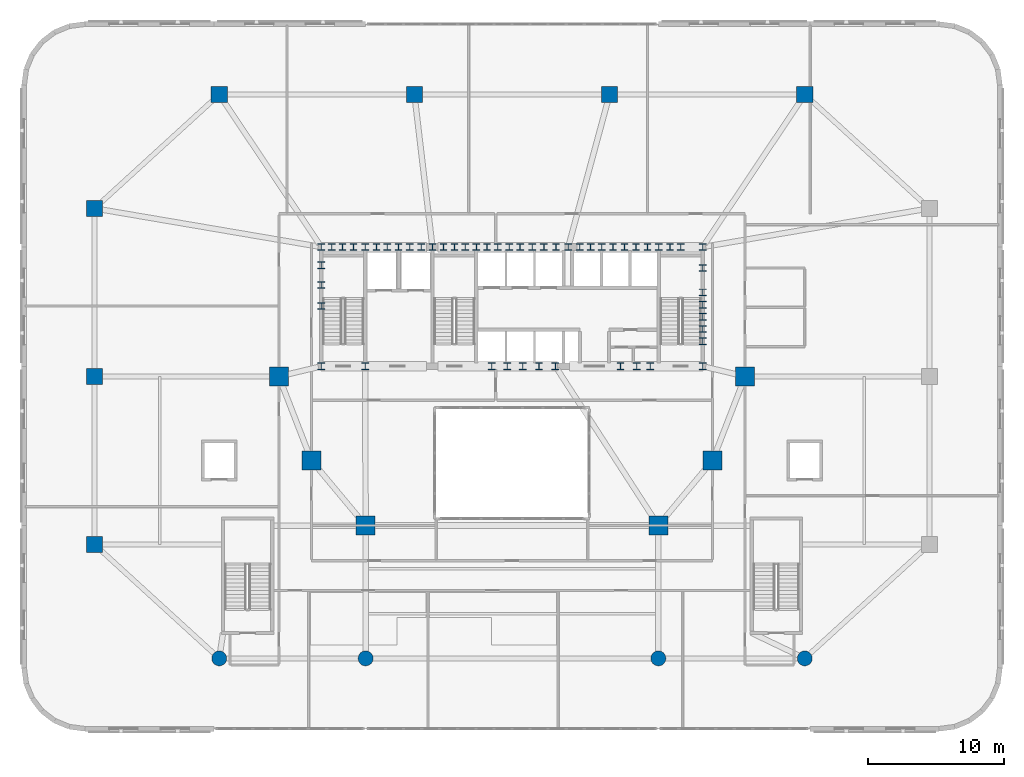
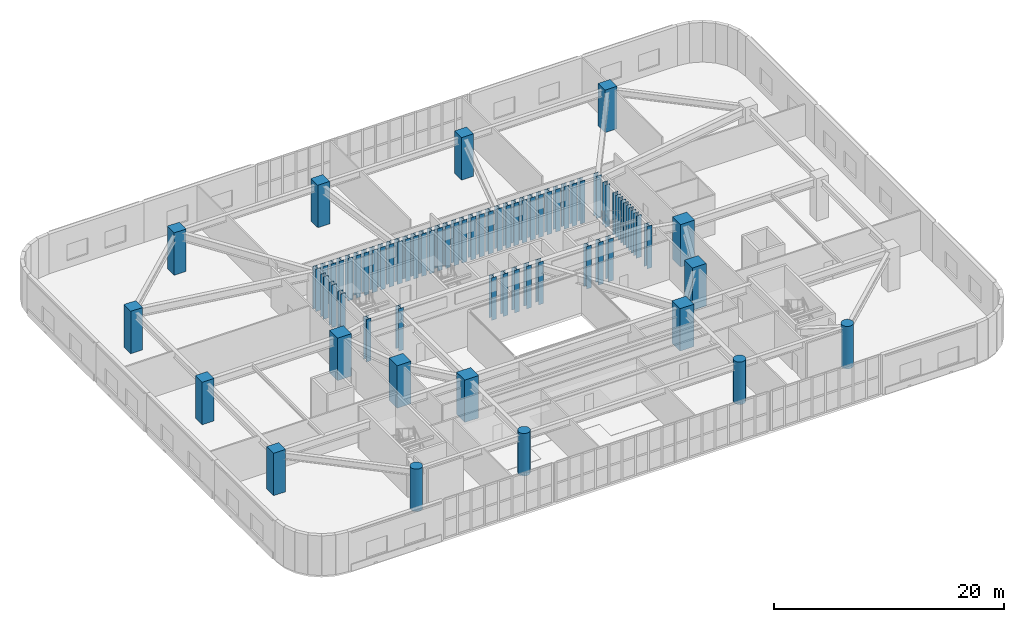
# One storey, part 1 of 25: 71 columns.
"""IFC4 building model written with IfcOpenShell, lengths in metres."""

import ifcopenshell
import ifcopenshell.guid

model = None  # the IFC model being written
_history = None  # IfcOwnerHistory: only IFC2X3 demands one
_inside = {}  # id of a spatial element -> (the spatial element, [elements in it])
_under = {}  # id of a project, library or spatial element -> (it, [spatial elements below it])
_declared = {}  # id of a project -> (the project, [libraries it declares])
_typed = {}  # id of a type object -> (the type object, [elements of that type])
_made_of = {}  # id of a material, layer set ... -> (it, [elements and type objects made of it])


def new_model(schema):
    """Start an empty IFC model of exactly this schema.

    Asked for "IFC4X3", IfcOpenShell would pick the latest addendum, in which some entities
    have other attributes; the version numbers below select the first issue.
    IFC2X3 requires an IfcOwnerHistory on every rooted entity: one is made here for all.
    """
    global model, _history
    if schema == "IFC4X3":
        model = ifcopenshell.file(schema_version=(4, 3, 0, 0))
    else:
        model = ifcopenshell.file(schema=schema)
    _inside.clear()
    _under.clear()
    _declared.clear()
    _typed.clear()
    _made_of.clear()
    _history = None
    if model.schema == "IFC2X3":
        org = make("IfcOrganization", Name="unknown")
        user = make(
            "IfcPersonAndOrganization",
            ThePerson=make("IfcPerson", FamilyName="unknown"),
            TheOrganization=org,
        )
        app = make(
            "IfcApplication",
            ApplicationDeveloper=org,
            Version="unknown",
            ApplicationFullName="unknown",
            ApplicationIdentifier="unknown",
        )
        _history = make(
            "IfcOwnerHistory",
            OwningUser=user,
            OwningApplication=app,
            ChangeAction="ADDED",
            CreationDate=0,
        )
    return model


def make(cls, **values):
    """One entity of the class cls with the attributes given. An attribute that is None is left unset."""
    return model.create_entity(
        cls, **{name: value for name, value in values.items() if value is not None}
    )


def rooted(cls, **values):
    """An entity with a GlobalId (a new one), such as an element, a storey or a relation."""
    return make(cls, GlobalId=ifcopenshell.guid.new(), OwnerHistory=_history, **values)


def si_unit(unit_type, name, prefix=None):
    """IfcSIUnit, for example si_unit("LENGTHUNIT", "METRE", prefix="MILLI")."""
    return make("IfcSIUnit", UnitType=unit_type, Prefix=prefix, Name=name)


def assignment(units):
    """IfcUnitAssignment: the units of a project."""
    return None if units is None else make("IfcUnitAssignment", Units=units)


def point(xyz):
    """IfcCartesianPoint."""
    return None if xyz is None else make("IfcCartesianPoint", Coordinates=xyz)


def direction(xyz):
    """IfcDirection."""
    return None if xyz is None else make("IfcDirection", DirectionRatios=xyz)


def frame(location, z_axis=None, x_axis=None):
    """IfcAxis2Placement3D, a coordinate frame: its origin and axes. An axis left out is left unset."""
    return make(
        "IfcAxis2Placement3D",
        Location=point(location),
        Axis=direction(z_axis),
        RefDirection=direction(x_axis),
    )


def frame_2d(location, x_axis=None):
    """IfcAxis2Placement2D, a coordinate frame in the plane: its origin and x axis."""
    return make(
        "IfcAxis2Placement2D", Location=point(location), RefDirection=direction(x_axis)
    )


def origin():
    """The frame at (0, 0, 0) with its axes left unset."""
    return frame((0.0, 0.0, 0.0))


def origin_2d():
    """The frame at (0, 0) in the plane with its x axis left unset."""
    return frame_2d((0.0, 0.0))


def place(relative_to, where):
    """IfcLocalPlacement: puts the frame where relative to a parent placement (None: the world)."""
    return make(
        "IfcLocalPlacement", PlacementRelTo=relative_to, RelativePlacement=where
    )


def context(
    kind, dimensions, precision=None, world=None, true_north=None, identifier=None
):
    """IfcGeometricRepresentationContext, for example the 3D "Model" context."""
    return make(
        "IfcGeometricRepresentationContext",
        ContextIdentifier=identifier,
        ContextType=kind,
        CoordinateSpaceDimension=dimensions,
        Precision=precision,
        WorldCoordinateSystem=world,
        TrueNorth=true_north,
    )


def subcontext(parent, identifier, kind, view, scale=None):
    """IfcGeometricRepresentationSubContext, for example "Body" below "Model"."""
    return make(
        "IfcGeometricRepresentationSubContext",
        ContextIdentifier=identifier,
        ContextType=kind,
        ParentContext=parent,
        TargetScale=scale,
        TargetView=view,
    )


def project(units=None, contexts=None):
    """IfcProject with its units and contexts."""
    return rooted(
        "IfcProject",
        Name="project",
        RepresentationContexts=contexts,
        UnitsInContext=assignment(units),
    )


def spatial(cls, under=None, at=None, **own):
    """A site, building, storey or space (cls), placed at a placement, below another one or the project."""
    s = rooted(cls, ObjectPlacement=at, **own)
    if under is not None:
        _under.setdefault(under.id(), (under, []))[1].append(s)
    return s


def profile(cls, at=None, kind="AREA", **sizes):
    """A parametric profile (cls). Its sizes go by their IFC names, for example OverallWidth=200.0."""
    return make(cls, ProfileType=kind, Position=at, **sizes)


def rectangle(**sizes):
    """IfcRectangleProfileDef."""
    return profile("IfcRectangleProfileDef", **sizes)


def circle(**sizes):
    """IfcCircleProfileDef."""
    return profile("IfcCircleProfileDef", **sizes)


def i_section(**sizes):
    """IfcIShapeProfileDef."""
    return profile("IfcIShapeProfileDef", **sizes)


def extrude(swept, where, along, depth):
    """IfcExtrudedAreaSolid: the profile swept, set in the frame where, extruded along a direction by depth."""
    return make(
        "IfcExtrudedAreaSolid",
        SweptArea=swept,
        Position=where,
        ExtrudedDirection=direction(along),
        Depth=depth,
    )


def shape(context_of_items, identifier, shape_type, items):
    """IfcShapeRepresentation: the items that make up one representation, for example the "Body"."""
    return make(
        "IfcShapeRepresentation",
        ContextOfItems=context_of_items,
        RepresentationIdentifier=identifier,
        RepresentationType=shape_type,
        Items=items,
    )


def material(Name=None, Category=None):
    """IfcMaterial."""
    return make("IfcMaterial", Name=Name, Category=Category)


def material_profile(
    of_material, cross_section, Name=None, Category=None, Priority=None
):
    """IfcMaterialProfile: a cross section and its material."""
    return make(
        "IfcMaterialProfile",
        Name=Name,
        Material=of_material,
        Profile=cross_section,
        Priority=Priority,
        Category=Category,
    )


def profile_set(profiles, Name=None, composite=None):
    """IfcMaterialProfileSet."""
    return make(
        "IfcMaterialProfileSet",
        Name=Name,
        MaterialProfiles=profiles,
        CompositeProfile=composite,
    )


def made_of(thing, what):
    """Note that an element or type object is made of a material, layer set ...; save() writes the relation."""
    if what is not None:
        _made_of.setdefault(what.id(), (what, []))[1].append(thing)
    return thing


def type_object(cls, material=None, **own):
    """A type object (cls), such as IfcWallType, which elements share."""
    return made_of(rooted(cls, **own), material)


def element(
    cls,
    number,
    at=None,
    inside=None,
    cuts=None,
    type_object=None,
    material=None,
    context=None,
    identifier="Body",
    shape_type=None,
    held_by="IfcProductDefinitionShape",
    body=None,
    shapes=None,
    **own,
):
    """One element of the class cls, such as IfcWall. Its Tag is "e" and its number.

    at: its placement. inside: the storey or other place that contains it. cuts: it is an
    opening in that element (IfcRelVoidsElement). A single representation is given by context,
    identifier, shape_type and body (its items); several are given by shapes. held_by: the class
    of the entity that holds the representations. save() writes the other relations.
    """
    e = rooted(cls, Tag="e%d" % number, ObjectPlacement=at, **own)
    if body is not None:
        shapes = [shape(context, identifier, shape_type, body)]
    if shapes is not None:
        e.Representation = make(held_by, Representations=shapes)
    if inside is not None:
        _inside.setdefault(inside.id(), (inside, []))[1].append(e)
    if cuts is not None:
        rooted(
            "IfcRelVoidsElement", RelatingBuildingElement=cuts, RelatedOpeningElement=e
        )
    if type_object is not None:
        _typed.setdefault(type_object.id(), (type_object, []))[1].append(e)
    return made_of(e, material)


def aggregate(whole, parts):
    """IfcRelAggregates: a whole, such as a stair, and the parts it consists of."""
    return rooted("IfcRelAggregates", RelatingObject=whole, RelatedObjects=parts)


def save(model, path):
    """Write the relations noted so far, then the file.

    IfcRelAggregates (storeys below a building ...), IfcRelContainedInSpatialStructure (elements
    in a storey), IfcRelDefinesByType, IfcRelAssociatesMaterial and IfcRelDeclares: one each for
    every whole, place, type object, material and project.
    """
    for whole, parts in _under.values():
        aggregate(whole, parts)
    for where, things in _inside.values():
        rooted(
            "IfcRelContainedInSpatialStructure",
            RelatedElements=things,
            RelatingStructure=where,
        )
    for kind, things in _typed.values():
        rooted("IfcRelDefinesByType", RelatedObjects=things, RelatingType=kind)
    for what, things in _made_of.values():
        rooted("IfcRelAssociatesMaterial", RelatedObjects=things, RelatingMaterial=what)
    for by, libraries in _declared.values():
        rooted("IfcRelDeclares", RelatingContext=by, RelatedDefinitions=libraries)
    model.write(path)


model = new_model("IFC4")

# Units and contexts
model_context = context("Model", 3, precision=1e-05, world=origin(), true_north=direction((0.0, 1.0)))
body_context = subcontext(model_context, "Body", "Model", "MODEL_VIEW")
ifc_project = project(units=[si_unit("LENGTHUNIT", "METRE"), si_unit("AREAUNIT", "SQUARE_METRE"), si_unit("VOLUMEUNIT", "CUBIC_METRE"), si_unit("PLANEANGLEUNIT", "RADIAN"), si_unit("MASSUNIT", "GRAM", prefix="KILO")], contexts=[model_context])

# Site, building, storey
site_placement = place(None, origin())
site = spatial("IfcSite", under=ifc_project, at=site_placement, CompositionType="ELEMENT")
building_placement = place(site_placement, origin())
building = spatial("IfcBuilding", under=site, at=building_placement, Name="Haldorwick Loom Tower", CompositionType="ELEMENT")
storey_placement = place(building_placement, frame((0.0, 0.0, 15.0)))
storey = spatial("IfcBuildingStorey", under=building, at=storey_placement, Name="L03", CompositionType="ELEMENT", Elevation=15.0)

# Columns
ifc_material_1 = material(Name="Concrete C60 (60 MPa)", Category="concrete")
ifc_material_profile_1 = material_profile(ifc_material_1, rectangle(XDim=1.39990234375, YDim=1.39990234375, at=origin_2d()), Name="RC1400X1400", Category="concrete")
ifc_profile_set_1 = profile_set([ifc_material_profile_1], Name="Concrete C60 (60 MPa)")
column_type_1 = type_object("IfcColumnType", Name="STR-COL-MEGA1400", PredefinedType="COLUMN", material=ifc_profile_set_1)
for number, where, z_axis, x_axis, name in (
    (1, (53.199951171875, 26.0, 0.0), (0.0, 0.0, 1.0), (1.0, 0.0, 0.0), "L03 Inner Column IC-01"),
    (2, (50.800048828125, 19.800048828125, 0.0), (0.0, 0.0, 1.0), (1.0, 0.0, 0.0), "L03 Inner Column IC-02"),
    (3, (21.199951171875, 19.800048828125, 0.0), (0.0, 0.0, 1.0), (1.0, 0.0, 0.0), "L03 Inner Column IC-07"),
    (4, (18.800048828125, 26.0, 0.0), (0.0, 0.0, 1.0), (1.0, 0.0, 0.0), "L03 Inner Column IC-08"),
    (5, (25.199951171875, 15.0, 0.0), (0.0, 0.0, 1.0), (1.0, 0.0, 0.0), "L03 Podium Column PC-TW"),
    (6, (46.800048828125, 15.0, 0.0), (0.0, 0.0, 1.0), (1.0, 0.0, 0.0), "L03 Podium Column PC-TE"),
):
    element("IfcColumn", number, at=place(storey_placement, frame(where, z_axis=z_axis, x_axis=x_axis)), inside=storey, type_object=column_type_1, Name=name, PredefinedType="COLUMN", context=body_context, shape_type="SweptSolid", body=[
        extrude(rectangle(XDim=1.39990234375, YDim=1.39990234375, at=origin_2d()), origin(), (0.0, 0.0, 1.0), 4.5),
    ])
ifc_material_profile_2 = material_profile(ifc_material_1, rectangle(XDim=1.199951171875, YDim=1.199951171875, at=origin_2d()), Name="RC1200X1200", Category="concrete")
ifc_profile_set_2 = profile_set([ifc_material_profile_2], Name="Concrete C60 (60 MPa)")
column_type_2 = type_object("IfcColumnType", Name="STR-COL-RC1200", PredefinedType="COLUMN", material=ifc_profile_set_2)
for number, where, z_axis, x_axis, name in (
    (7, (14.39990234375, 46.800048828125, 0.0), (0.0, 0.0, 1.0), (1.0, 0.0, 0.0), "L03 Podium Column PC-N1"),
    (8, (28.800048828125, 46.800048828125, 0.0), (0.0, 0.0, 1.0), (1.0, 0.0, 0.0), "L03 Podium Column PC-N2"),
    (9, (43.199951171875, 46.800048828125, 0.0), (0.0, 0.0, 1.0), (1.0, 0.0, 0.0), "L03 Podium Column PC-N3"),
    (10, (57.60009765625, 46.800048828125, 0.0), (0.0, 0.0, 1.0), (1.0, 0.0, 0.0), "L03 Podium Column PC-N4"),
    (11, (5.199951171875, 13.60009765625, 0.0), (0.0, 0.0, 1.0), (1.0, 0.0, 0.0), "L03 Podium Column PC-W1"),
    (12, (5.199951171875, 26.0, 0.0), (0.0, 0.0, 1.0), (1.0, 0.0, 0.0), "L03 Podium Column PC-W2"),
    (13, (5.199951171875, 38.39990234375, 0.0), (0.0, 0.0, 1.0), (1.0, 0.0, 0.0), "L03 Podium Column PC-W3"),
):
    element("IfcColumn", number, at=place(storey_placement, frame(where, z_axis=z_axis, x_axis=x_axis)), inside=storey, type_object=column_type_2, Name=name, PredefinedType="COLUMN", context=body_context, shape_type="SweptSolid", body=[
        extrude(rectangle(XDim=1.199951171875, YDim=1.199951171875, at=origin_2d()), origin(), (0.0, 0.0, 1.0), 4.5),
    ])
ifc_material_profile_3 = material_profile(ifc_material_1, circle(Radius=0.550048828125, at=origin_2d()), Name="RCD1100", Category="concrete")
ifc_profile_set_3 = profile_set([ifc_material_profile_3], Name="Concrete C60 (60 MPa)")
column_type_3 = type_object("IfcColumnType", Name="STR-COL-RCD1100", PredefinedType="COLUMN", material=ifc_profile_set_3)
for number, where, z_axis, x_axis, name in (
    (14, (14.39990234375, 5.199951171875, 0.0), (0.0, 0.0, 1.0), (1.0, 0.0, 0.0), "L03 Podium Column PC-S1"),
    (15, (25.199951171875, 5.199951171875, 0.0), (0.0, 0.0, 1.0), (1.0, 0.0, 0.0), "L03 Podium Column PC-S2"),
    (16, (46.800048828125, 5.199951171875, 0.0), (0.0, 0.0, 1.0), (1.0, 0.0, 0.0), "L03 Podium Column PC-S3"),
    (17, (57.60009765625, 5.199951171875, 0.0), (0.0, 0.0, 1.0), (1.0, 0.0, 0.0), "L03 Podium Column PC-S4"),
):
    element("IfcColumn", number, at=place(storey_placement, frame(where, z_axis=z_axis, x_axis=x_axis)), inside=storey, type_object=column_type_3, Name=name, PredefinedType="COLUMN", context=body_context, shape_type="SweptSolid", body=[
        extrude(circle(Radius=0.550048828125, at=origin_2d()), origin(), (0.0, 0.0, 1.0), 4.5),
    ])
ifc_material_2 = material(Name="Steel CSA G40.21 350WT", Category="steel")
ifc_material_profile_4 = material_profile(ifc_material_2, i_section(OverallWidth=0.5, OverallDepth=0.5, WebThickness=0.02197265625, FlangeThickness=0.031982421875, at=origin_2d()), Name="WWF500X500", Category="steel")
ifc_profile_set_4 = profile_set([ifc_material_profile_4], Name="Steel CSA G40.21 350WT")
column_type_4 = type_object("IfcColumnType", Name="STR-COL-WWF500", PredefinedType="COLUMN", material=ifc_profile_set_4)
for number, where, z_axis, x_axis, name in (
    (18, (21.929931640625, 35.550048828125, 0.0), (0.0, 0.0, 1.0), (1.0, 0.0, 0.0), "L03 Core Pilaster CB-01"),
    (19, (23.5, 35.550048828125, 0.0), (0.0, 0.0, 1.0), (1.0, 0.0, 0.0), "L03 Core Pilaster CB-02"),
    (20, (25.169921875, 35.550048828125, 0.0), (0.0, 0.0, 1.0), (1.0, 0.0, 0.0), "L03 Core Pilaster CB-03"),
    (21, (26.800048828125, 35.550048828125, 0.0), (0.0, 0.0, 1.0), (1.0, 0.0, 0.0), "L03 Core Pilaster CB-04"),
    (22, (28.449951171875, 35.550048828125, 0.0), (0.0, 0.0, 1.0), (1.0, 0.0, 0.0), "L03 Core Pilaster CB-05"),
    (23, (30.1298828125, 35.550048828125, 0.0), (0.0, 0.0, 1.0), (1.0, 0.0, 0.0), "L03 Core Pilaster CB-06"),
    (24, (31.75, 35.550048828125, 0.0), (0.0, 0.0, 1.0), (1.0, 0.0, 0.0), "L03 Core Pilaster CB-07"),
    (25, (33.3701171875, 35.550048828125, 0.0), (0.0, 0.0, 1.0), (1.0, 0.0, 0.0), "L03 Core Pilaster CB-08"),
    (26, (34.949951171875, 35.550048828125, 0.0), (0.0, 0.0, 1.0), (1.0, 0.0, 0.0), "L03 Core Pilaster CB-09"),
    (27, (36.60009765625, 35.550048828125, 0.0), (0.0, 0.0, 1.0), (1.0, 0.0, 0.0), "L03 Core Pilaster CB-10"),
    (28, (38.35009765625, 35.550048828125, 0.0), (0.0, 0.0, 1.0), (1.0, 0.0, 0.0), "L03 Core Pilaster CB-11"),
    (29, (40.14990234375, 35.550048828125, 0.0), (0.0, 0.0, 1.0), (1.0, 0.0, 0.0), "L03 Core Pilaster CB-12"),
    (30, (41.800048828125, 35.550048828125, 0.0), (0.0, 0.0, 1.0), (1.0, 0.0, 0.0), "L03 Core Pilaster CB-13"),
    (31, (43.449951171875, 35.550048828125, 0.0), (0.0, 0.0, 1.0), (1.0, 0.0, 0.0), "L03 Core Pilaster CB-14"),
    (32, (45.14990234375, 35.550048828125, 0.0), (0.0, 0.0, 1.0), (1.0, 0.0, 0.0), "L03 Core Pilaster CB-15"),
    (33, (46.830078125, 35.550048828125, 0.0), (0.0, 0.0, 1.0), (1.0, 0.0, 0.0), "L03 Core Pilaster CB-16"),
    (34, (48.449951171875, 35.550048828125, 0.0), (0.0, 0.0, 1.0), (1.0, 0.0, 0.0), "L03 Core Pilaster CB-17"),
    (35, (50.070068359375, 35.550048828125, 0.0), (0.0, 0.0, 1.0), (1.0, 0.0, 0.0), "L03 Core Pilaster CB-18"),
    (36, (21.929931640625, 26.75, 0.0), (0.0, 0.0, 1.0), (1.0, 0.0, 0.0), "L03 Core Pilaster CB-19"),
    (37, (25.169921875, 26.75, 0.0), (0.0, 0.0, 1.0), (1.0, 0.0, 0.0), "L03 Core Pilaster CB-20"),
    (38, (34.5, 26.75, 0.0), (0.0, 0.0, 1.0), (1.0, 0.0, 0.0), "L03 Core Pilaster CB-21"),
    (39, (36.800048828125, 26.75, 0.0), (0.0, 0.0, 1.0), (1.0, 0.0, 0.0), "L03 Core Pilaster CB-22"),
    (40, (39.199951171875, 26.75, 0.0), (0.0, 0.0, 1.0), (1.0, 0.0, 0.0), "L03 Core Pilaster CB-23"),
    (41, (45.199951171875, 26.75, 0.0), (0.0, 0.0, 1.0), (1.0, 0.0, 0.0), "L03 Core Pilaster CB-24"),
    (42, (50.070068359375, 26.75, 0.0), (0.0, 0.0, 1.0), (1.0, 0.0, 0.0), "L03 Core Pilaster CB-25"),
    (43, (21.929931640625, 31.199951171875, 0.0), (0.0, 0.0, 1.0), (1.0, 0.0, 0.0), "L03 Core Pilaster CB-26"),
    (44, (21.929931640625, 32.75, 0.0), (0.0, 0.0, 1.0), (1.0, 0.0, 0.0), "L03 Core Pilaster CB-27"),
    (45, (21.929931640625, 34.199951171875, 0.0), (0.0, 0.0, 1.0), (1.0, 0.0, 0.0), "L03 Core Pilaster CB-28"),
    (46, (50.070068359375, 28.60009765625, 0.0), (0.0, 0.0, 1.0), (1.0, 0.0, 0.0), "L03 Core Pilaster CB-29"),
    (47, (50.070068359375, 30.39990234375, 0.0), (0.0, 0.0, 1.0), (1.0, 0.0, 0.0), "L03 Core Pilaster CB-30"),
    (48, (50.070068359375, 32.199951171875, 0.0), (0.0, 0.0, 1.0), (1.0, 0.0, 0.0), "L03 Core Pilaster CB-31"),
    (49, (50.070068359375, 34.0, 0.0), (0.0, 0.0, 1.0), (1.0, 0.0, 0.0), "L03 Core Pilaster CB-32"),
    (50, (22.699951171875, 35.550048828125, 0.0), (0.0, 0.0, 1.0), (1.0, 0.0, 0.0), "L03 Core Pilaster CB-33"),
    (51, (27.6201171875, 35.550048828125, 0.0), (0.0, 0.0, 1.0), (1.0, 0.0, 0.0), "L03 Core Pilaster CB-34"),
    (52, (32.550048828125, 35.550048828125, 0.0), (0.0, 0.0, 1.0), (1.0, 0.0, 0.0), "L03 Core Pilaster CB-35"),
    (53, (37.5, 35.550048828125, 0.0), (0.0, 0.0, 1.0), (1.0, 0.0, 0.0), "L03 Core Pilaster CB-36"),
    (54, (42.6201171875, 35.550048828125, 0.0), (0.0, 0.0, 1.0), (1.0, 0.0, 0.0), "L03 Core Pilaster CB-37"),
    (55, (47.64990234375, 35.550048828125, 0.0), (0.0, 0.0, 1.0), (1.0, 0.0, 0.0), "L03 Core Pilaster CB-38"),
    (56, (24.300048828125, 35.550048828125, 0.0), (0.0, 0.0, 1.0), (1.0, 0.0, 0.0), "L03 Core Pilaster CB-39"),
    (57, (26.0, 35.550048828125, 0.0), (0.0, 0.0, 1.0), (1.0, 0.0, 0.0), "L03 Core Pilaster CB-40"),
    (58, (29.300048828125, 35.550048828125, 0.0), (0.0, 0.0, 1.0), (1.0, 0.0, 0.0), "L03 Core Pilaster CB-41"),
    (59, (30.949951171875, 35.550048828125, 0.0), (0.0, 0.0, 1.0), (1.0, 0.0, 0.0), "L03 Core Pilaster CB-42"),
    (60, (34.14990234375, 35.550048828125, 0.0), (0.0, 0.0, 1.0), (1.0, 0.0, 0.0), "L03 Core Pilaster CB-43"),
    (61, (35.800048828125, 35.550048828125, 0.0), (0.0, 0.0, 1.0), (1.0, 0.0, 0.0), "L03 Core Pilaster CB-44"),
    (62, (39.25, 35.550048828125, 0.0), (0.0, 0.0, 1.0), (1.0, 0.0, 0.0), "L03 Core Pilaster CB-45"),
    (63, (41.0, 35.550048828125, 0.0), (0.0, 0.0, 1.0), (1.0, 0.0, 0.0), "L03 Core Pilaster CB-46"),
    (64, (44.300048828125, 35.550048828125, 0.0), (0.0, 0.0, 1.0), (1.0, 0.0, 0.0), "L03 Core Pilaster CB-47"),
    (65, (46.0, 35.550048828125, 0.0), (0.0, 0.0, 1.0), (1.0, 0.0, 0.0), "L03 Core Pilaster CB-48"),
    (66, (50.070068359375, 29.5, 0.0), (0.0, 0.0, 1.0), (1.0, 0.0, 0.0), "L03 Core Pilaster CB-49"),
    (67, (50.070068359375, 31.300048828125, 0.0), (0.0, 0.0, 1.0), (1.0, 0.0, 0.0), "L03 Core Pilaster CB-50"),
    (68, (35.64990234375, 26.75, 0.0), (0.0, 0.0, 1.0), (1.0, 0.0, 0.0), "L03 Core Pilaster CB-51"),
    (69, (38.0, 26.75, 0.0), (0.0, 0.0, 1.0), (1.0, 0.0, 0.0), "L03 Core Pilaster CB-52"),
    (70, (44.0, 26.75, 0.0), (0.0, 0.0, 1.0), (1.0, 0.0, 0.0), "L03 Core Pilaster CB-53"),
    (71, (46.199951171875, 26.75, 0.0), (0.0, 0.0, 1.0), (1.0, 0.0, 0.0), "L03 Core Pilaster CB-54"),
):
    element("IfcColumn", number, at=place(storey_placement, frame(where, z_axis=z_axis, x_axis=x_axis)), inside=storey, type_object=column_type_4, Name=name, PredefinedType="COLUMN", context=body_context, shape_type="SweptSolid", body=[
        extrude(i_section(OverallWidth=0.5, OverallDepth=0.5, WebThickness=0.02197265625, FlangeThickness=0.031982421875, at=origin_2d()), origin(), (0.0, 0.0, 1.0), 4.5),
    ])

save(model, "model.ifc")
